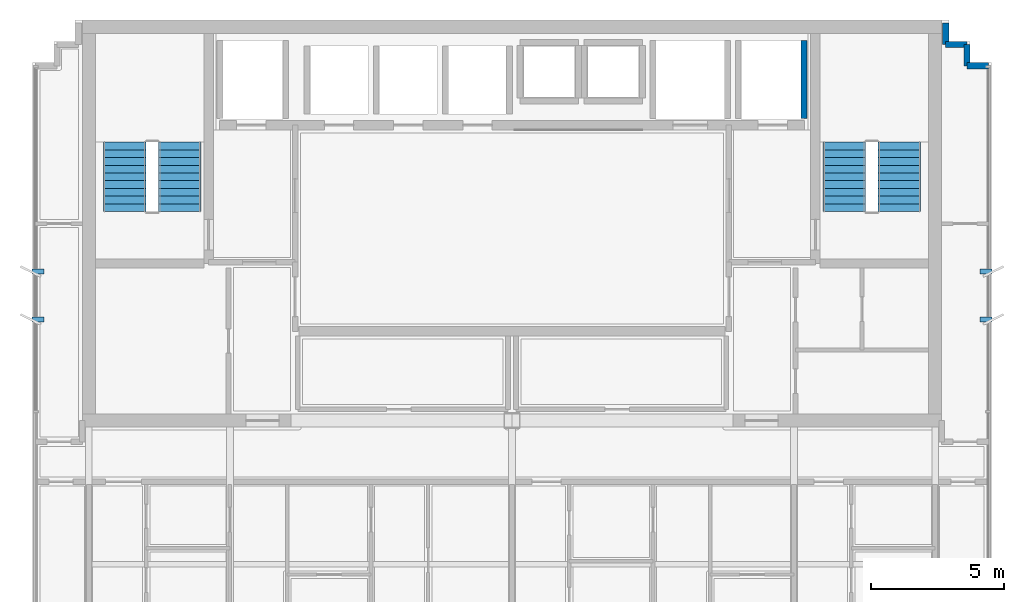
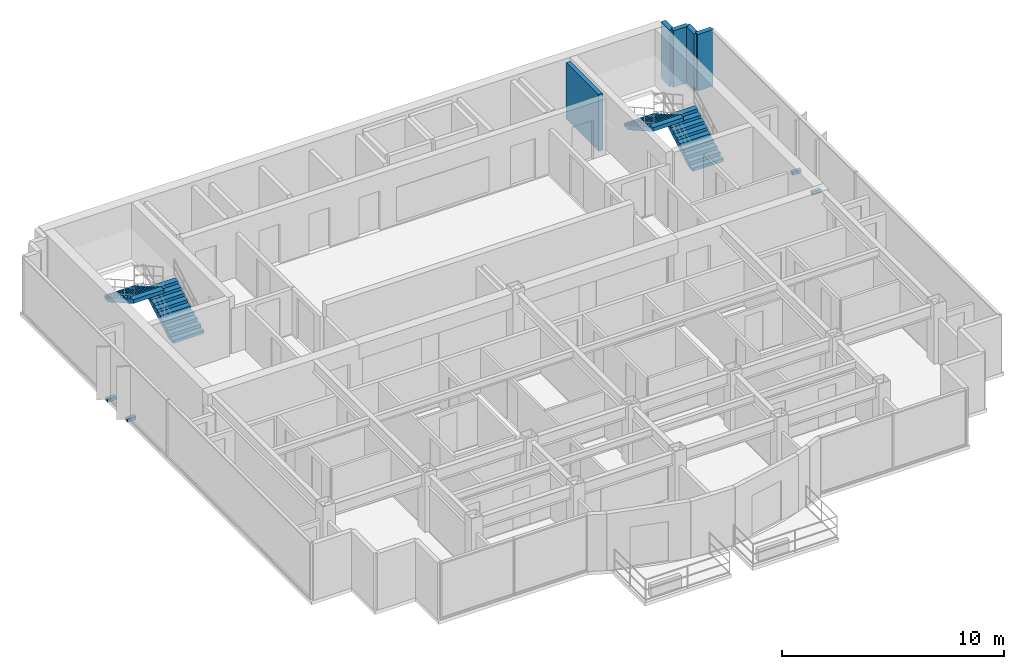
# One storey, part 9 of 11: 5 walls, 4 discrete accessories, 4 stair flights, 2 elements without a shape of their own.
"""IFC4 building model written with IfcOpenShell, lengths in metres."""

import ifcopenshell
import ifcopenshell.guid

model = None  # the IFC model being written
_history = None  # IfcOwnerHistory: only IFC2X3 demands one
_inside = {}  # id of a spatial element -> (the spatial element, [elements in it])
_under = {}  # id of a project, library or spatial element -> (it, [spatial elements below it])
_declared = {}  # id of a project -> (the project, [libraries it declares])
_typed = {}  # id of a type object -> (the type object, [elements of that type])
_made_of = {}  # id of a material, layer set ... -> (it, [elements and type objects made of it])


def new_model(schema):
    """Start an empty IFC model of exactly this schema.

    Asked for "IFC4X3", IfcOpenShell would pick the latest addendum, in which some entities
    have other attributes; the version numbers below select the first issue.
    IFC2X3 requires an IfcOwnerHistory on every rooted entity: one is made here for all.
    """
    global model, _history
    if schema == "IFC4X3":
        model = ifcopenshell.file(schema_version=(4, 3, 0, 0))
    else:
        model = ifcopenshell.file(schema=schema)
    _inside.clear()
    _under.clear()
    _declared.clear()
    _typed.clear()
    _made_of.clear()
    _history = None
    if model.schema == "IFC2X3":
        org = make("IfcOrganization", Name="unknown")
        user = make(
            "IfcPersonAndOrganization",
            ThePerson=make("IfcPerson", FamilyName="unknown"),
            TheOrganization=org,
        )
        app = make(
            "IfcApplication",
            ApplicationDeveloper=org,
            Version="unknown",
            ApplicationFullName="unknown",
            ApplicationIdentifier="unknown",
        )
        _history = make(
            "IfcOwnerHistory",
            OwningUser=user,
            OwningApplication=app,
            ChangeAction="ADDED",
            CreationDate=0,
        )
    return model


def make(cls, **values):
    """One entity of the class cls with the attributes given. An attribute that is None is left unset."""
    return model.create_entity(
        cls, **{name: value for name, value in values.items() if value is not None}
    )


def rooted(cls, **values):
    """An entity with a GlobalId (a new one), such as an element, a storey or a relation."""
    return make(cls, GlobalId=ifcopenshell.guid.new(), OwnerHistory=_history, **values)


def si_unit(unit_type, name, prefix=None):
    """IfcSIUnit, for example si_unit("LENGTHUNIT", "METRE", prefix="MILLI")."""
    return make("IfcSIUnit", UnitType=unit_type, Prefix=prefix, Name=name)


def assignment(units):
    """IfcUnitAssignment: the units of a project."""
    return None if units is None else make("IfcUnitAssignment", Units=units)


def point(xyz):
    """IfcCartesianPoint."""
    return None if xyz is None else make("IfcCartesianPoint", Coordinates=xyz)


def direction(xyz):
    """IfcDirection."""
    return None if xyz is None else make("IfcDirection", DirectionRatios=xyz)


def frame(location, z_axis=None, x_axis=None):
    """IfcAxis2Placement3D, a coordinate frame: its origin and axes. An axis left out is left unset."""
    return make(
        "IfcAxis2Placement3D",
        Location=point(location),
        Axis=direction(z_axis),
        RefDirection=direction(x_axis),
    )


def frame_2d(location, x_axis=None):
    """IfcAxis2Placement2D, a coordinate frame in the plane: its origin and x axis."""
    return make(
        "IfcAxis2Placement2D", Location=point(location), RefDirection=direction(x_axis)
    )


def origin():
    """The frame at (0, 0, 0) with its axes left unset."""
    return frame((0.0, 0.0, 0.0))


def origin_2d():
    """The frame at (0, 0) in the plane with its x axis left unset."""
    return frame_2d((0.0, 0.0))


def place(relative_to, where):
    """IfcLocalPlacement: puts the frame where relative to a parent placement (None: the world)."""
    return make(
        "IfcLocalPlacement", PlacementRelTo=relative_to, RelativePlacement=where
    )


def context(
    kind, dimensions, precision=None, world=None, true_north=None, identifier=None
):
    """IfcGeometricRepresentationContext, for example the 3D "Model" context."""
    return make(
        "IfcGeometricRepresentationContext",
        ContextIdentifier=identifier,
        ContextType=kind,
        CoordinateSpaceDimension=dimensions,
        Precision=precision,
        WorldCoordinateSystem=world,
        TrueNorth=true_north,
    )


def subcontext(parent, identifier, kind, view, scale=None):
    """IfcGeometricRepresentationSubContext, for example "Body" below "Model"."""
    return make(
        "IfcGeometricRepresentationSubContext",
        ContextIdentifier=identifier,
        ContextType=kind,
        ParentContext=parent,
        TargetScale=scale,
        TargetView=view,
    )


def project(units=None, contexts=None):
    """IfcProject with its units and contexts."""
    return rooted(
        "IfcProject",
        Name="project",
        RepresentationContexts=contexts,
        UnitsInContext=assignment(units),
    )


def spatial(cls, under=None, at=None, **own):
    """A site, building, storey or space (cls), placed at a placement, below another one or the project."""
    s = rooted(cls, ObjectPlacement=at, **own)
    if under is not None:
        _under.setdefault(under.id(), (under, []))[1].append(s)
    return s


def polyline(points):
    """IfcPolyline through the points."""
    return make("IfcPolyline", Points=[point(p) for p in points])


def profile(cls, at=None, kind="AREA", **sizes):
    """A parametric profile (cls). Its sizes go by their IFC names, for example OverallWidth=200.0."""
    return make(cls, ProfileType=kind, Position=at, **sizes)


def rectangle(**sizes):
    """IfcRectangleProfileDef."""
    return profile("IfcRectangleProfileDef", **sizes)


def outline(outer, holes=None, kind="AREA"):
    """IfcArbitraryClosedProfileDef: a profile drawn as a closed curve; with holes, ...WithVoids."""
    if holes is None:
        return make("IfcArbitraryClosedProfileDef", ProfileType=kind, OuterCurve=outer)
    return make(
        "IfcArbitraryProfileDefWithVoids",
        ProfileType=kind,
        OuterCurve=outer,
        InnerCurves=holes,
    )


def extrude(swept, where, along, depth):
    """IfcExtrudedAreaSolid: the profile swept, set in the frame where, extruded along a direction by depth."""
    return make(
        "IfcExtrudedAreaSolid",
        SweptArea=swept,
        Position=where,
        ExtrudedDirection=direction(along),
        Depth=depth,
    )


def shape(context_of_items, identifier, shape_type, items):
    """IfcShapeRepresentation: the items that make up one representation, for example the "Body"."""
    return make(
        "IfcShapeRepresentation",
        ContextOfItems=context_of_items,
        RepresentationIdentifier=identifier,
        RepresentationType=shape_type,
        Items=items,
    )


def source(mapping_origin, context_of_items, identifier, shape_type, items):
    """IfcRepresentationMap: a shape defined once, which mapped items show again and again."""
    return make(
        "IfcRepresentationMap",
        MappingOrigin=mapping_origin,
        MappedRepresentation=shape(context_of_items, identifier, shape_type, items),
    )


def transform(
    local_origin,
    x_axis=None,
    y_axis=None,
    z_axis=None,
    scale=None,
    scale2=None,
    scale3=None,
    uniform=True,
):
    """IfcCartesianTransformationOperator3D, or its non-uniform kind. x_axis, y_axis, z_axis: its Axis1, 2, 3."""
    if uniform:
        return make(
            "IfcCartesianTransformationOperator3D",
            Axis1=direction(x_axis),
            Axis2=direction(y_axis),
            LocalOrigin=point(local_origin),
            Scale=scale,
            Axis3=direction(z_axis),
        )
    return make(
        "IfcCartesianTransformationOperator3DnonUniform",
        Axis1=direction(x_axis),
        Axis2=direction(y_axis),
        LocalOrigin=point(local_origin),
        Scale=scale,
        Axis3=direction(z_axis),
        Scale2=scale2,
        Scale3=scale3,
    )


def mapped(mapping_source, mapping_target):
    """IfcMappedItem: shows the shape of a source again, moved by a transform."""
    return make(
        "IfcMappedItem", MappingSource=mapping_source, MappingTarget=mapping_target
    )


def material(Name=None, Category=None):
    """IfcMaterial."""
    return make("IfcMaterial", Name=Name, Category=Category)


def layer(
    of_material, thickness, ventilated=None, Name=None, Category=None, Priority=None
):
    """IfcMaterialLayer: one layer of a wall or slab, of a material (None: an air gap)."""
    return make(
        "IfcMaterialLayer",
        Material=of_material,
        LayerThickness=thickness,
        IsVentilated=ventilated,
        Name=Name,
        Category=Category,
        Priority=Priority,
    )


def layer_set(layers, Name=None):
    """IfcMaterialLayerSet."""
    return make("IfcMaterialLayerSet", MaterialLayers=layers, LayerSetName=Name)


def made_of(thing, what):
    """Note that an element or type object is made of a material, layer set ...; save() writes the relation."""
    if what is not None:
        _made_of.setdefault(what.id(), (what, []))[1].append(thing)
    return thing


def type_object(cls, material=None, **own):
    """A type object (cls), such as IfcWallType, which elements share."""
    return made_of(rooted(cls, **own), material)


def element(
    cls,
    number,
    at=None,
    inside=None,
    cuts=None,
    type_object=None,
    material=None,
    context=None,
    identifier="Body",
    shape_type=None,
    held_by="IfcProductDefinitionShape",
    body=None,
    shapes=None,
    **own,
):
    """One element of the class cls, such as IfcWall. Its Tag is "e" and its number.

    at: its placement. inside: the storey or other place that contains it. cuts: it is an
    opening in that element (IfcRelVoidsElement). A single representation is given by context,
    identifier, shape_type and body (its items); several are given by shapes. held_by: the class
    of the entity that holds the representations. save() writes the other relations.
    """
    e = rooted(cls, Tag="e%d" % number, ObjectPlacement=at, **own)
    if body is not None:
        shapes = [shape(context, identifier, shape_type, body)]
    if shapes is not None:
        e.Representation = make(held_by, Representations=shapes)
    if inside is not None:
        _inside.setdefault(inside.id(), (inside, []))[1].append(e)
    if cuts is not None:
        rooted(
            "IfcRelVoidsElement", RelatingBuildingElement=cuts, RelatedOpeningElement=e
        )
    if type_object is not None:
        _typed.setdefault(type_object.id(), (type_object, []))[1].append(e)
    return made_of(e, material)


def aggregate(whole, parts):
    """IfcRelAggregates: a whole, such as a stair, and the parts it consists of."""
    return rooted("IfcRelAggregates", RelatingObject=whole, RelatedObjects=parts)


def save(model, path):
    """Write the relations noted so far, then the file.

    IfcRelAggregates (storeys below a building ...), IfcRelContainedInSpatialStructure (elements
    in a storey), IfcRelDefinesByType, IfcRelAssociatesMaterial and IfcRelDeclares: one each for
    every whole, place, type object, material and project.
    """
    for whole, parts in _under.values():
        aggregate(whole, parts)
    for where, things in _inside.values():
        rooted(
            "IfcRelContainedInSpatialStructure",
            RelatedElements=things,
            RelatingStructure=where,
        )
    for kind, things in _typed.values():
        rooted("IfcRelDefinesByType", RelatedObjects=things, RelatingType=kind)
    for what, things in _made_of.values():
        rooted("IfcRelAssociatesMaterial", RelatedObjects=things, RelatingMaterial=what)
    for by, libraries in _declared.values():
        rooted("IfcRelDeclares", RelatingContext=by, RelatedDefinitions=libraries)
    model.write(path)


model = new_model("IFC4")

# Units and contexts
model_context = context("Model", 3, precision=1e-05, world=origin(), true_north=direction((0.0, 1.0)))
body_context = subcontext(model_context, "Body", "Model", "MODEL_VIEW")
ifc_project = project(units=[si_unit("LENGTHUNIT", "METRE"), si_unit("AREAUNIT", "SQUARE_METRE"), si_unit("VOLUMEUNIT", "CUBIC_METRE"), si_unit("PLANEANGLEUNIT", "RADIAN"), si_unit("MASSUNIT", "GRAM", prefix="KILO")], contexts=[model_context])

# Site, building, storey
site_placement = place(None, origin())
site = spatial("IfcSite", under=ifc_project, at=site_placement, CompositionType="ELEMENT")
building_placement = place(site_placement, origin())
building = spatial("IfcBuilding", under=site, at=building_placement, Name="Qianlan Lanfeng Residences", CompositionType="ELEMENT")
storey_placement = place(building_placement, frame((0.0, 0.0, 259.39990234375)))
storey = spatial("IfcBuildingStorey", under=building, at=storey_placement, Name="L72", CompositionType="ELEMENT", Elevation=259.39990234375)

# Walls
ifc_material_1 = material(Name="Concrete C42", Category="concrete")
ifc_layer_1 = layer(ifc_material_1, 0.239990234375)
ifc_layer_set_1 = layer_set([ifc_layer_1], Name="Concrete C42")
wall_type_1 = type_object("IfcWallType", Name="EW-240", PredefinedType="SOLIDWALL", material=ifc_layer_set_1)
wall_1_placement = place(storey_placement, frame((44.39990234375, 38.530029296875, 0.0), z_axis=(0.0, 0.0, 1.0), x_axis=(-1.0, 0.0, 0.0)))
element("IfcWall", 1, at=wall_1_placement, inside=storey, type_object=wall_type_1, Name="L72 Exterior Facade Spandrel Wall 15", PredefinedType="SOLIDWALL", context=body_context, shape_type="SweptSolid", body=[
    extrude(rectangle(XDim=0.7998046875, YDim=0.239990234375, at=frame_2d((0.39990234375, 0.0))), origin(), (0.0, 0.0, 1.0), 3.110107421875),
])
for number, where, z_axis, x_axis, name in (
    (2, (43.60009765625, 38.530029296875, 0.0), (0.0, 0.0, 1.0), (0.0, 1.0, 0.0), "L72 Exterior Facade Spandrel Wall 16"),
    (3, (43.60009765625, 39.330078125, 0.0), (0.0, 0.0, 1.0), (-1.0, 0.0, 0.0), "L72 Exterior Facade Spandrel Wall 17"),
):
    element("IfcWall", number, at=place(storey_placement, frame(where, z_axis=z_axis, x_axis=x_axis)), inside=storey, type_object=wall_type_1, Name=name, PredefinedType="SOLIDWALL", context=body_context, shape_type="SweptSolid", body=[
        extrude(rectangle(XDim=0.800048828125, YDim=0.239990234375, at=frame_2d((0.39990234375, 0.0))), origin(), (0.0, 0.0, 1.0), 3.110107421875),
    ])
wall_2_placement = place(storey_placement, frame((42.800048828125, 39.330078125, 0.0), z_axis=(0.0, 0.0, 1.0), x_axis=(0.0, 1.0, 0.0)))
element("IfcWall", 4, at=wall_2_placement, inside=storey, type_object=wall_type_1, Name="L72 Exterior Facade Spandrel Wall 18", PredefinedType="SOLIDWALL", context=body_context, shape_type="SweptSolid", body=[
    extrude(rectangle(XDim=0.7998046875, YDim=0.239990234375, at=frame_2d((0.39990234375, 0.0))), origin(), (0.0, 0.0, 1.0), 3.110107421875),
])
ifc_material_2 = material(Name="Concrete C49", Category="concrete")
ifc_layer_2 = layer(ifc_material_2, 0.219970703125)
ifc_layer_set_2 = layer_set([ifc_layer_2], Name="Concrete C49")
wall_type_2 = type_object("IfcWallType", Name="SHW-220", PredefinedType="SOLIDWALL", material=ifc_layer_set_2)
wall_3_placement = place(storey_placement, frame((37.47998046875, 36.550048828125, 0.0), z_axis=(0.0, 0.0, 1.0), x_axis=(0.0, 1.0, 0.0)))
element("IfcWall", 5, at=wall_3_placement, inside=storey, type_object=wall_type_2, Name="L72 Lift FFL-2 Shaft Wall E", PredefinedType="SOLIDWALL", context=body_context, shape_type="SweptSolid", body=[
    extrude(rectangle(XDim=2.929931640625, YDim=0.219970703125, at=frame_2d((1.46484375, 0.0))), origin(), (0.0, 0.0, 1.0), 3.110107421875),
])

# Stair, stair flights
stair_type = type_object("IfcStairType", Name="STR-MAIN", PredefinedType="HALF_TURN_STAIR", material=ifc_material_1)
stair_1_placement = place(storey_placement, origin())
stair_1 = element("IfcStair", 6, at=stair_1_placement, inside=storey, type_object=stair_type, Name="L72 Exit Stair ST-1", PredefinedType="HALF_TURN_STAIR")
stair_flight_type = type_object("IfcStairFlightType", Name="FLT-1720", PredefinedType="STRAIGHT", material=ifc_material_1)
stair_flight_1_placement = place(storey_placement, frame((14.02001953125, 33.050048828125, 0.0), z_axis=(0.0, 0.0, 1.0), x_axis=(0.0, 1.0, 0.0)))
stair_flight_1 = element("IfcStairFlight", 7, at=stair_flight_1_placement, type_object=stair_flight_type, Name="ST-1 flight 1", NumberOfRisers=10, NumberOfTreads=9, PredefinedType="STRAIGHT", RiserHeight=0.165, TreadLength=0.29, context=body_context, shape_type="SweptSolid", body=[
    extrude(outline(polyline([(0.0, 0.0), (0.0, 0.1650390625), (0.2900390625, 0.1650390625), (0.2900390625, 0.330078125), (0.580078125, 0.330078125), (0.580078125, 0.4951171875), (0.8701171875, 0.4951171875), (0.8701171875, 0.659912109375), (1.159912109375, 0.659912109375), (1.159912109375, 0.824951171875), (1.449951171875, 0.824951171875), (1.449951171875, 0.989990234375), (1.739990234375, 0.989990234375), (1.739990234375, 1.155029296875), (2.030029296875, 1.155029296875), (2.030029296875, 1.320068359375), (2.320068359375, 1.320068359375), (2.320068359375, 1.485107421875), (2.610107421875, 1.485107421875), (2.610107421875, 1.64990234375), (2.610107421875, 1.278076171875), (0.36376953125, 0.0), (0.0, 0.0)])), frame((0.0, 0.800048828125, 0.0), z_axis=(0.0, -1.0, 0.0), x_axis=(1.0, 0.0, 0.0)), (0.0, 0.0, 1.0), 1.60009765625),
])
stair_flight_2_placement = place(storey_placement, frame((11.93994140625, 35.659912109375, 1.650146484375), z_axis=(0.0, 0.0, 1.0), x_axis=(0.0, -1.0, 0.0)))
stair_flight_2 = element("IfcStairFlight", 8, at=stair_flight_2_placement, type_object=stair_flight_type, Name="ST-1 flight 2", NumberOfRisers=10, NumberOfTreads=9, PredefinedType="STRAIGHT", RiserHeight=0.165, TreadLength=0.29, context=body_context, shape_type="SweptSolid", body=[
    extrude(outline(polyline([(0.0, 0.0), (0.0, 0.1650390625), (0.2900390625, 0.1650390625), (0.2900390625, 0.330078125), (0.580078125, 0.330078125), (0.580078125, 0.4951171875), (0.8701171875, 0.4951171875), (0.8701171875, 0.659912109375), (1.159912109375, 0.659912109375), (1.159912109375, 0.824951171875), (1.449951171875, 0.824951171875), (1.449951171875, 0.989990234375), (1.739990234375, 0.989990234375), (1.739990234375, 1.155029296875), (2.030029296875, 1.155029296875), (2.030029296875, 1.320068359375), (2.320068359375, 1.320068359375), (2.320068359375, 1.485107421875), (2.610107421875, 1.485107421875), (2.610107421875, 1.64990234375), (2.610107421875, 1.278076171875), (0.36376953125, 0.0), (0.0, 0.0)])), frame((0.0, 0.800048828125, 0.0), z_axis=(0.0, -1.0, 0.0), x_axis=(1.0, 0.0, 0.0)), (0.0, 0.0, 1.0), 1.60009765625),
])
aggregate(stair_1, [stair_flight_1, stair_flight_2])

stair_2_placement = place(storey_placement, origin())
stair_2 = element("IfcStair", 9, at=stair_2_placement, inside=storey, type_object=stair_type, Name="L72 Exit Stair ST-2", PredefinedType="HALF_TURN_STAIR")
stair_flight_3_placement = place(storey_placement, frame((41.06005859375, 33.050048828125, 0.0), z_axis=(0.0, 0.0, 1.0), x_axis=(0.0, 1.0, 0.0)))
stair_flight_3 = element("IfcStairFlight", 10, at=stair_flight_3_placement, type_object=stair_flight_type, Name="ST-2 flight 1", NumberOfRisers=10, NumberOfTreads=9, PredefinedType="STRAIGHT", RiserHeight=0.165, TreadLength=0.29, context=body_context, shape_type="SweptSolid", body=[
    extrude(outline(polyline([(0.0, 0.0), (0.0, 0.1650390625), (0.2900390625, 0.1650390625), (0.2900390625, 0.330078125), (0.580078125, 0.330078125), (0.580078125, 0.4951171875), (0.8701171875, 0.4951171875), (0.8701171875, 0.659912109375), (1.159912109375, 0.659912109375), (1.159912109375, 0.824951171875), (1.449951171875, 0.824951171875), (1.449951171875, 0.989990234375), (1.739990234375, 0.989990234375), (1.739990234375, 1.155029296875), (2.030029296875, 1.155029296875), (2.030029296875, 1.320068359375), (2.320068359375, 1.320068359375), (2.320068359375, 1.485107421875), (2.610107421875, 1.485107421875), (2.610107421875, 1.64990234375), (2.610107421875, 1.278076171875), (0.36376953125, 0.0), (0.0, 0.0)])), frame((0.0, 0.800048828125, 0.0), z_axis=(0.0, -1.0, 0.0), x_axis=(1.0, 0.0, 0.0)), (0.0, 0.0, 1.0), 1.60009765625),
])
stair_flight_4_placement = place(storey_placement, frame((38.97998046875, 35.659912109375, 1.650146484375), z_axis=(0.0, 0.0, 1.0), x_axis=(0.0, -1.0, 0.0)))
stair_flight_4 = element("IfcStairFlight", 11, at=stair_flight_4_placement, type_object=stair_flight_type, Name="ST-2 flight 2", NumberOfRisers=10, NumberOfTreads=9, PredefinedType="STRAIGHT", RiserHeight=0.165, TreadLength=0.29, context=body_context, shape_type="SweptSolid", body=[
    extrude(outline(polyline([(0.0, 0.0), (0.0, 0.1650390625), (0.2900390625, 0.1650390625), (0.2900390625, 0.330078125), (0.580078125, 0.330078125), (0.580078125, 0.4951171875), (0.8701171875, 0.4951171875), (0.8701171875, 0.659912109375), (1.159912109375, 0.659912109375), (1.159912109375, 0.824951171875), (1.449951171875, 0.824951171875), (1.449951171875, 0.989990234375), (1.739990234375, 0.989990234375), (1.739990234375, 1.155029296875), (2.030029296875, 1.155029296875), (2.030029296875, 1.320068359375), (2.320068359375, 1.320068359375), (2.320068359375, 1.485107421875), (2.610107421875, 1.485107421875), (2.610107421875, 1.64990234375), (2.610107421875, 1.278076171875), (0.36376953125, 0.0), (0.0, 0.0)])), frame((0.0, 0.800048828125, 0.0), z_axis=(0.0, -1.0, 0.0), x_axis=(1.0, 0.0, 0.0)), (0.0, 0.0, 1.0), 1.60009765625),
])
aggregate(stair_2, [stair_flight_3, stair_flight_4])

# Discrete accessories
ifc_material_3 = material(Name="Stainless Steel Facade Bracket", Category="steel")
discrete_accessory_type = type_object("IfcDiscreteAccessoryType", Name="BRK-SS-350", PredefinedType="BRACKET", material=ifc_material_3)
shared_shape = source(origin(), body_context, "Body", "SweptSolid", [
    extrude(rectangle(XDim=0.449951171875, YDim=0.179931640625, at=origin_2d()), origin(), (0.0, 0.0, 1.0), 0.179931640625),
])
for number, where, z_axis, x_axis, name in (
    (12, (8.679931640625, 29.0, -0.14990234375), (0.0, 0.0, 1.0), (1.0, 0.0, 0.0), "L72 Raked Solar Fin Support Bracket W1"),
    (13, (8.679931640625, 30.800048828125, -0.14990234375), (0.0, 0.0, 1.0), (1.0, 0.0, 0.0), "L72 Raked Solar Fin Support Bracket W2"),
    (14, (44.320068359375, 29.0, -0.14990234375), (0.0, 0.0, 1.0), (1.0, 0.0, 0.0), "L72 Raked Solar Fin Support Bracket E1"),
    (15, (44.320068359375, 30.800048828125, -0.14990234375), (0.0, 0.0, 1.0), (1.0, 0.0, 0.0), "L72 Raked Solar Fin Support Bracket E2"),
):
    element("IfcDiscreteAccessory", number, at=place(storey_placement, frame(where, z_axis=z_axis, x_axis=x_axis)), inside=storey, type_object=discrete_accessory_type, Name=name, PredefinedType="BRACKET", context=body_context, shape_type="MappedRepresentation", body=[
        mapped(shared_shape, transform((0.0, 0.0, 0.0), scale=1.0)),
    ])

save(model, "model.ifc")
